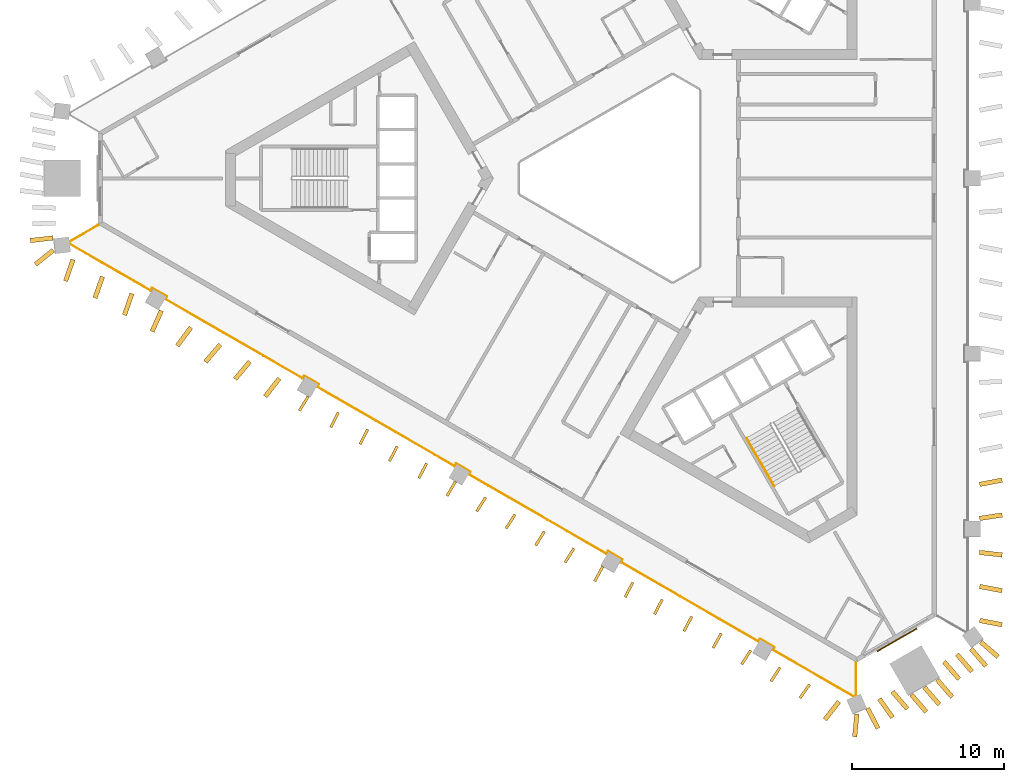
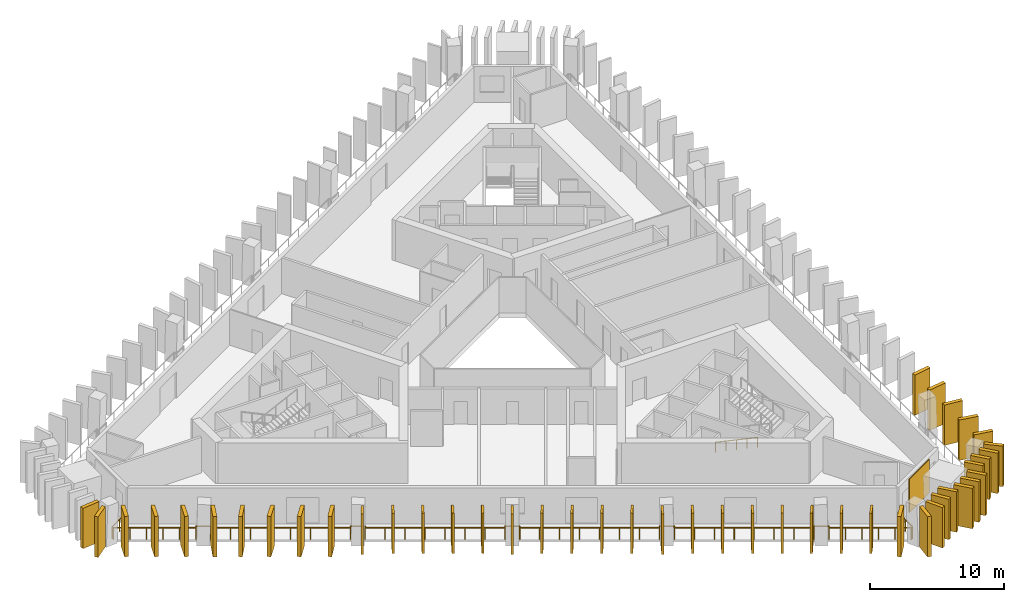
# One storey, part 7 of 10: 45 shading devices, 2 railings, 1 covering.
"""IFC4 building model written with IfcOpenShell, lengths in metres."""

from ifc_helpers import new_model, si_unit, direction, frame, frame_2d, origin, origin_2d, place, context, subcontext, project, spatial, rectangle, circle, extrude, material, layer, layer_set, type_object, element, save


model = new_model("IFC4")

# Units and contexts
model_context = context("Model", 3, precision=1e-05, world=origin(), true_north=direction((0.0, 1.0)))
body_context = subcontext(model_context, "Body", "Model", "MODEL_VIEW")
ifc_project = project(units=[si_unit("LENGTHUNIT", "METRE"), si_unit("AREAUNIT", "SQUARE_METRE"), si_unit("VOLUMEUNIT", "CUBIC_METRE"), si_unit("PLANEANGLEUNIT", "RADIAN"), si_unit("MASSUNIT", "GRAM", prefix="KILO")], contexts=[model_context])

# Site, building, storey
site_placement = place(None, origin())
site = spatial("IfcSite", under=ifc_project, at=site_placement, CompositionType="ELEMENT")
building_placement = place(site_placement, origin())
building = spatial("IfcBuilding", under=site, at=building_placement, Name="Jabali Bay Hotel Tower and Convention Centre", CompositionType="ELEMENT")
storey_placement = place(building_placement, frame((0.0, 0.0, 106.800048828125)))
storey = spatial("IfcBuildingStorey", under=building, at=storey_placement, Name="L25", CompositionType="ELEMENT", Elevation=106.800048828125)

# Railing
ifc_material_1 = material(Name="Glass", Category="glass")
railing_type_1 = type_object("IfcRailingType", Name="Loggia glass guard 1100", PredefinedType="BALUSTRADE", material=ifc_material_1)
railing_1_placement = place(storey_placement, frame((89.81591796875, 48.179443359375, 0.0)))
element("IfcRailing", 1, at=railing_1_placement, inside=storey, type_object=railing_type_1, Name="Loggia glass guard L25", PredefinedType="BALUSTRADE", context=body_context, shape_type="SweptSolid", body=[
    extrude(circle(Radius=0.02490234375, at=origin_2d()), frame((0.0, 0.0, 1.0751953125), z_axis=(0.0, -1.0, 0.0), x_axis=(0.991444861374, 0.0, 0.13052619222)), (0.0, 0.0, 1.0), 2.165283203125),
    extrude(circle(Radius=0.02490234375, at=origin_2d()), frame((0.0, -2.165283203125, 1.0751953125), z_axis=(-0.918657809016, -0.395054211386, 0.0), x_axis=(0.391674467843, -0.91079856411, 0.13052619222)), (0.0, 0.0, 1.0), 0.15576171875),
    extrude(circle(Radius=0.02490234375, at=origin_2d()), frame((-0.14306640625, -2.226806640625, 1.0751953125), z_axis=(-0.866031938394, 0.499988681553, 0.0), x_axis=(-0.495711209071, -0.858622915107, 0.13052619222)), (0.0, 0.0, 1.0), 6.138916015625),
    extrude(circle(Radius=0.02490234375, at=origin_2d()), frame((-5.45947265625, 0.842529296875, 1.0751953125), z_axis=(0.500603037456, 0.865676959893, 0.0), x_axis=(-0.858270973496, 0.496320309074, 0.13052619222)), (0.0, 0.0, 1.0), 0.199951171875),
    extrude(circle(Radius=0.02490234375, at=origin_2d()), frame((-5.359375, 1.015625, 1.0751953125), z_axis=(-0.866008176907, 0.50002983664, 0.0), x_axis=(-0.495752012071, -0.858599356902, 0.13052619222)), (0.0, 0.0, 1.0), 1.10009765625),
    extrude(circle(Radius=0.02490234375, at=origin_2d()), frame((-6.31201171875, 1.565673828125, 1.0751953125), z_axis=(-0.500603037456, -0.865676959893, 0.0), x_axis=(0.858270973496, -0.496320309074, 0.13052619222)), (0.0, 0.0, 1.0), 0.199951171875),
    extrude(circle(Radius=0.02490234375, at=origin_2d()), frame((-6.412109375, 1.392578125, 1.0751953125), z_axis=(-0.866022894995, 0.500004345326, 0.0), x_axis=(-0.495726738838, -0.858613949075, 0.13052619222)), (0.0, 0.0, 1.0), 10.4208984375),
    extrude(circle(Radius=0.02490234375, at=origin_2d()), frame((-15.436767578125, 6.60302734375, 1.0751953125), z_axis=(0.499687197852, 0.866205924883, 0.0), x_axis=(-0.858795413117, 0.495412304605, 0.13052619222)), (0.0, 0.0, 1.0), 0.199951171875),
    extrude(circle(Radius=0.02490234375, at=origin_2d()), frame((-15.3369140625, 6.776123046875, 1.0751953125), z_axis=(-0.866008176907, 0.50002983664, 0.0), x_axis=(-0.495752012071, -0.858599356902, 0.13052619222)), (0.0, 0.0, 1.0), 1.10009765625),
    extrude(circle(Radius=0.02490234375, at=origin_2d()), frame((-16.28955078125, 7.326171875, 1.0751953125), z_axis=(-0.499687197852, -0.866205924883, 0.0), x_axis=(0.858795413117, -0.495412304605, 0.13052619222)), (0.0, 0.0, 1.0), 0.199951171875),
    extrude(circle(Radius=0.02490234375, at=origin_2d()), frame((-16.389404296875, 7.153076171875, 1.0751953125), z_axis=(-0.866028751965, 0.499994200737, 0.0), x_axis=(-0.495716681037, -0.858619755937, 0.13052619222)), (0.0, 0.0, 1.0), 10.4208984375),
    extrude(circle(Radius=0.02490234375, at=origin_2d()), frame((-25.414306640625, 12.363525390625, 1.0751953125), z_axis=(0.499687197852, 0.866205924883, 0.0), x_axis=(-0.858795413117, 0.495412304605, 0.13052619222)), (0.0, 0.0, 1.0), 0.199951171875),
    extrude(circle(Radius=0.02490234375, at=origin_2d()), frame((-25.314453125, 12.53662109375, 1.0751953125), z_axis=(-0.866008176907, 0.50002983664, 0.0), x_axis=(-0.495752012071, -0.858599356902, 0.13052619222)), (0.0, 0.0, 1.0), 1.10009765625),
    extrude(circle(Radius=0.02490234375, at=origin_2d()), frame((-26.26708984375, 13.086669921875, 1.0751953125), z_axis=(-0.499687197852, -0.866205924883, 0.0), x_axis=(0.858795413117, -0.495412304605, 0.13052619222)), (0.0, 0.0, 1.0), 0.199951171875),
    extrude(circle(Radius=0.02490234375, at=origin_2d()), frame((-26.366943359375, 12.91357421875, 1.0751953125), z_axis=(-0.866028751965, 0.499994200737, 0.0), x_axis=(-0.495716681037, -0.858619755937, 0.13052619222)), (0.0, 0.0, 1.0), 10.4208984375),
    extrude(circle(Radius=0.02490234375, at=origin_2d()), frame((-35.391845703125, 18.1240234375, 1.0751953125), z_axis=(0.500074377092, 0.865982457891, 0.0), x_axis=(-0.858573857916, 0.495796171473, 0.13052619222)), (0.0, 0.0, 1.0), 0.2001953125),
    extrude(circle(Radius=0.02490234375, at=origin_2d()), frame((-35.291748046875, 18.29736328125, 1.0751953125), z_axis=(-0.866104278045, 0.499863360881, 0.0), x_axis=(-0.495586960535, -0.858694635882, 0.13052619222)), (0.0, 0.0, 1.0), 1.099853515625),
    extrude(circle(Radius=0.02490234375, at=origin_2d()), frame((-36.244384765625, 18.84716796875, 1.0751953125), z_axis=(-0.500603037456, -0.865676959893, 0.0), x_axis=(0.858270973496, -0.496320309074, 0.13052619222)), (0.0, 0.0, 1.0), 0.199951171875),
    extrude(circle(Radius=0.02490234375, at=origin_2d()), frame((-36.344482421875, 18.674072265625, 1.0751953125), z_axis=(-0.866028751965, 0.499994200737, 0.0), x_axis=(-0.495716681037, -0.858619755937, 0.13052619222)), (0.0, 0.0, 1.0), 10.4208984375),
    extrude(circle(Radius=0.02490234375, at=origin_2d()), frame((-45.369384765625, 23.884521484375, 1.0751953125), z_axis=(0.500074377092, 0.865982457891, 0.0), x_axis=(-0.858573857916, 0.495796171473, 0.13052619222)), (0.0, 0.0, 1.0), 0.2001953125),
    extrude(circle(Radius=0.02490234375, at=origin_2d()), frame((-45.269287109375, 24.057861328125, 1.0751953125), z_axis=(-0.866104278045, 0.499863360881, 0.0), x_axis=(-0.495586960535, -0.858694635882, 0.13052619222)), (0.0, 0.0, 1.0), 1.099853515625),
    extrude(circle(Radius=0.02490234375, at=origin_2d()), frame((-46.221923828125, 24.607666015625, 1.0751953125), z_axis=(-0.500603037456, -0.865676959893, 0.0), x_axis=(0.858270973496, -0.496320309074, 0.13052619222)), (0.0, 0.0, 1.0), 0.199951171875),
    extrude(circle(Radius=0.02490234375, at=origin_2d()), frame((-46.322021484375, 24.4345703125, 1.0751953125), z_axis=(-0.866021995826, 0.500005902711, 0.0), x_axis=(-0.495728282899, -0.858613057598, 0.13052619222)), (0.0, 0.0, 1.0), 6.138671875),
    extrude(circle(Radius=0.02490234375, at=origin_2d()), frame((-51.63818359375, 27.50390625, 1.0751953125), z_axis=(-0.117477392411, 0.993075557182, 0.0), x_axis=(-0.984579658124, -0.116472357034, 0.13052619222)), (0.0, 0.0, 1.0), 0.15576171875),
    extrude(circle(Radius=0.02490234375, at=origin_2d()), frame((-51.656494140625, 27.65869140625, 1.0751953125), z_axis=(0.866056034881, 0.49994694163, 0.0), x_axis=(-0.495669826239, 0.858646805445, 0.13052619222)), (0.0, 0.0, 1.0), 2.165283203125),
    extrude(circle(Radius=0.02001953125, at=origin_2d()), origin(), (0.0, 0.0, 1.0), 1.050048828125),
    extrude(circle(Radius=0.02001953125, at=origin_2d()), frame((0.0, -1.08251953125, 0.0)), (0.0, 0.0, 1.0), 1.050048828125),
    extrude(circle(Radius=0.02001953125, at=origin_2d()), frame((0.0, -2.165283203125, 0.0)), (0.0, 0.0, 1.0), 1.050048828125),
    extrude(circle(Radius=0.02001953125, at=origin_2d()), frame((-0.14306640625, -2.226806640625, 0.0)), (0.0, 0.0, 1.0), 1.050048828125),
    extrude(circle(Radius=0.02001953125, at=origin_2d()), frame((-1.206298828125, -1.613037109375, 0.0)), (0.0, 0.0, 1.0), 1.050048828125),
    extrude(circle(Radius=0.02001953125, at=origin_2d()), frame((-2.26953125, -0.9990234375, 0.0)), (0.0, 0.0, 1.0), 1.050048828125),
    extrude(circle(Radius=0.02001953125, at=origin_2d()), frame((-3.3330078125, -0.38525390625, 0.0)), (0.0, 0.0, 1.0), 1.050048828125),
    extrude(circle(Radius=0.02001953125, at=origin_2d()), frame((-4.396240234375, 0.228759765625, 0.0)), (0.0, 0.0, 1.0), 1.050048828125),
    extrude(circle(Radius=0.02001953125, at=origin_2d()), frame((-5.45947265625, 0.842529296875, 0.0)), (0.0, 0.0, 1.0), 1.050048828125),
    extrude(circle(Radius=0.02001953125, at=origin_2d()), frame((-5.359375, 1.015625, 0.0)), (0.0, 0.0, 1.0), 1.050048828125),
    extrude(circle(Radius=0.02001953125, at=origin_2d()), frame((-6.31201171875, 1.565673828125, 0.0)), (0.0, 0.0, 1.0), 1.050048828125),
    extrude(circle(Radius=0.02001953125, at=origin_2d()), frame((-6.412109375, 1.392578125, 0.0)), (0.0, 0.0, 1.0), 1.050048828125),
    extrude(circle(Radius=0.02001953125, at=origin_2d()), frame((-7.701416015625, 2.136962890625, 0.0)), (0.0, 0.0, 1.0), 1.050048828125),
    extrude(circle(Radius=0.02001953125, at=origin_2d()), frame((-8.990478515625, 2.88134765625, 0.0)), (0.0, 0.0, 1.0), 1.050048828125),
    extrude(circle(Radius=0.02001953125, at=origin_2d()), frame((-10.27978515625, 3.625732421875, 0.0)), (0.0, 0.0, 1.0), 1.050048828125),
    extrude(circle(Radius=0.02001953125, at=origin_2d()), frame((-11.569091796875, 4.369873046875, 0.0)), (0.0, 0.0, 1.0), 1.050048828125),
    extrude(circle(Radius=0.02001953125, at=origin_2d()), frame((-12.8583984375, 5.1142578125, 0.0)), (0.0, 0.0, 1.0), 1.050048828125),
    extrude(circle(Radius=0.02001953125, at=origin_2d()), frame((-14.1474609375, 5.858642578125, 0.0)), (0.0, 0.0, 1.0), 1.050048828125),
    extrude(circle(Radius=0.02001953125, at=origin_2d()), frame((-15.436767578125, 6.60302734375, 0.0)), (0.0, 0.0, 1.0), 1.050048828125),
    extrude(circle(Radius=0.02001953125, at=origin_2d()), frame((-15.3369140625, 6.776123046875, 0.0)), (0.0, 0.0, 1.0), 1.050048828125),
    extrude(circle(Radius=0.02001953125, at=origin_2d()), frame((-16.28955078125, 7.326171875, 0.0)), (0.0, 0.0, 1.0), 1.050048828125),
    extrude(circle(Radius=0.02001953125, at=origin_2d()), frame((-16.389404296875, 7.153076171875, 0.0)), (0.0, 0.0, 1.0), 1.050048828125),
    extrude(circle(Radius=0.02001953125, at=origin_2d()), frame((-17.6787109375, 7.8974609375, 0.0)), (0.0, 0.0, 1.0), 1.050048828125),
    extrude(circle(Radius=0.02001953125, at=origin_2d()), frame((-18.968017578125, 8.641845703125, 0.0)), (0.0, 0.0, 1.0), 1.050048828125),
    extrude(circle(Radius=0.02001953125, at=origin_2d()), frame((-20.25732421875, 9.38623046875, 0.0)), (0.0, 0.0, 1.0), 1.050048828125),
    extrude(circle(Radius=0.02001953125, at=origin_2d()), frame((-21.54638671875, 10.13037109375, 0.0)), (0.0, 0.0, 1.0), 1.050048828125),
    extrude(circle(Radius=0.02001953125, at=origin_2d()), frame((-22.835693359375, 10.874755859375, 0.0)), (0.0, 0.0, 1.0), 1.050048828125),
    extrude(circle(Radius=0.02001953125, at=origin_2d()), frame((-24.125, 11.619140625, 0.0)), (0.0, 0.0, 1.0), 1.050048828125),
    extrude(circle(Radius=0.02001953125, at=origin_2d()), frame((-25.414306640625, 12.363525390625, 0.0)), (0.0, 0.0, 1.0), 1.050048828125),
    extrude(circle(Radius=0.02001953125, at=origin_2d()), frame((-25.314453125, 12.53662109375, 0.0)), (0.0, 0.0, 1.0), 1.050048828125),
    extrude(circle(Radius=0.02001953125, at=origin_2d()), frame((-26.26708984375, 13.086669921875, 0.0)), (0.0, 0.0, 1.0), 1.050048828125),
    extrude(circle(Radius=0.02001953125, at=origin_2d()), frame((-26.366943359375, 12.91357421875, 0.0)), (0.0, 0.0, 1.0), 1.050048828125),
    extrude(circle(Radius=0.02001953125, at=origin_2d()), frame((-27.65625, 13.657958984375, 0.0)), (0.0, 0.0, 1.0), 1.050048828125),
    extrude(circle(Radius=0.02001953125, at=origin_2d()), frame((-28.945556640625, 14.40234375, 0.0)), (0.0, 0.0, 1.0), 1.050048828125),
    extrude(circle(Radius=0.02001953125, at=origin_2d()), frame((-30.23486328125, 15.146728515625, 0.0)), (0.0, 0.0, 1.0), 1.050048828125),
    extrude(circle(Radius=0.02001953125, at=origin_2d()), frame((-31.52392578125, 15.890869140625, 0.0)), (0.0, 0.0, 1.0), 1.050048828125),
    extrude(circle(Radius=0.02001953125, at=origin_2d()), frame((-32.813232421875, 16.63525390625, 0.0)), (0.0, 0.0, 1.0), 1.050048828125),
    extrude(circle(Radius=0.02001953125, at=origin_2d()), frame((-34.1025390625, 17.379638671875, 0.0)), (0.0, 0.0, 1.0), 1.050048828125),
    extrude(circle(Radius=0.02001953125, at=origin_2d()), frame((-35.391845703125, 18.1240234375, 0.0)), (0.0, 0.0, 1.0), 1.050048828125),
    extrude(circle(Radius=0.02001953125, at=origin_2d()), frame((-35.291748046875, 18.29736328125, 0.0)), (0.0, 0.0, 1.0), 1.050048828125),
    extrude(circle(Radius=0.02001953125, at=origin_2d()), frame((-36.244384765625, 18.84716796875, 0.0)), (0.0, 0.0, 1.0), 1.050048828125),
    extrude(circle(Radius=0.02001953125, at=origin_2d()), frame((-36.344482421875, 18.674072265625, 0.0)), (0.0, 0.0, 1.0), 1.050048828125),
    extrude(circle(Radius=0.02001953125, at=origin_2d()), frame((-37.6337890625, 19.41845703125, 0.0)), (0.0, 0.0, 1.0), 1.050048828125),
    extrude(circle(Radius=0.02001953125, at=origin_2d()), frame((-38.923095703125, 20.162841796875, 0.0)), (0.0, 0.0, 1.0), 1.050048828125),
    extrude(circle(Radius=0.02001953125, at=origin_2d()), frame((-40.21240234375, 20.9072265625, 0.0)), (0.0, 0.0, 1.0), 1.050048828125),
    extrude(circle(Radius=0.02001953125, at=origin_2d()), frame((-41.50146484375, 21.6513671875, 0.0)), (0.0, 0.0, 1.0), 1.050048828125),
    extrude(circle(Radius=0.02001953125, at=origin_2d()), frame((-42.790771484375, 22.395751953125, 0.0)), (0.0, 0.0, 1.0), 1.050048828125),
    extrude(circle(Radius=0.02001953125, at=origin_2d()), frame((-44.080078125, 23.14013671875, 0.0)), (0.0, 0.0, 1.0), 1.050048828125),
    extrude(circle(Radius=0.02001953125, at=origin_2d()), frame((-45.369384765625, 23.884521484375, 0.0)), (0.0, 0.0, 1.0), 1.050048828125),
    extrude(circle(Radius=0.02001953125, at=origin_2d()), frame((-45.269287109375, 24.057861328125, 0.0)), (0.0, 0.0, 1.0), 1.050048828125),
    extrude(circle(Radius=0.02001953125, at=origin_2d()), frame((-46.221923828125, 24.607666015625, 0.0)), (0.0, 0.0, 1.0), 1.050048828125),
    extrude(circle(Radius=0.02001953125, at=origin_2d()), frame((-46.322021484375, 24.4345703125, 0.0)), (0.0, 0.0, 1.0), 1.050048828125),
    extrude(circle(Radius=0.02001953125, at=origin_2d()), frame((-47.38525390625, 25.04833984375, 0.0)), (0.0, 0.0, 1.0), 1.050048828125),
    extrude(circle(Radius=0.02001953125, at=origin_2d()), frame((-48.448486328125, 25.662353515625, 0.0)), (0.0, 0.0, 1.0), 1.050048828125),
    extrude(circle(Radius=0.02001953125, at=origin_2d()), frame((-49.51171875, 26.276123046875, 0.0)), (0.0, 0.0, 1.0), 1.050048828125),
    extrude(circle(Radius=0.02001953125, at=origin_2d()), frame((-50.574951171875, 26.89013671875, 0.0)), (0.0, 0.0, 1.0), 1.050048828125),
    extrude(circle(Radius=0.02001953125, at=origin_2d()), frame((-51.63818359375, 27.50390625, 0.0)), (0.0, 0.0, 1.0), 1.050048828125),
    extrude(circle(Radius=0.02001953125, at=origin_2d()), frame((-51.656494140625, 27.65869140625, 0.0)), (0.0, 0.0, 1.0), 1.050048828125),
    extrude(circle(Radius=0.02001953125, at=origin_2d()), frame((-50.71875, 28.199951171875, 0.0)), (0.0, 0.0, 1.0), 1.050048828125),
    extrude(circle(Radius=0.02001953125, at=origin_2d()), frame((-49.78125, 28.7412109375, 0.0)), (0.0, 0.0, 1.0), 1.050048828125),
])

# Shading devices
ifc_material_2 = material(Name="Precast concrete C60", Category="concrete")
ifc_layer_1 = layer(ifc_material_2, 0.179931640625)
ifc_layer_set_1 = layer_set([ifc_layer_1], Name="Precast concrete C60")
shading_device_type_1 = type_object("IfcShadingDeviceType", Name="Precast fin 3680 x 1100", PredefinedType="USERDEFINED", material=ifc_layer_set_1)
shading_device_1_placement = place(storey_placement, frame((53.826416015625, 65.6640625, 0.010009765625), z_axis=(0.0, 0.0, 1.0), x_axis=(-0.525582659311, -0.850742539333, 0.0)))
element("IfcShadingDevice", 2, at=shading_device_1_placement, inside=storey, type_object=shading_device_type_1, Name="Fin L25 080", ObjectType="FIN", PredefinedType="USERDEFINED", context=body_context, shape_type="SweptSolid", body=[
    extrude(rectangle(XDim=1.099853515625, YDim=0.179931640625, at=frame_2d((0.5498046875, 0.0))), origin(), (0.0, 0.0, 1.0), 3.679931640625),
])
for number, where, z_axis, x_axis, name in (
    (3, (55.8095703125, 64.63134765625, 0.010009765625), (0.0, 0.0, 1.0), (-0.446947271445, -0.894560303472, 0.0), "Fin L25 081"),
    (4, (57.74462890625, 63.515625, 0.010009765625), (0.0, 0.0, 1.0), (-0.459422918874, -0.888217643156, 0.0), "Fin L25 082"),
    (5, (59.679443359375, 62.39892578125, 0.010009765625), (0.0, 0.0, 1.0), (-0.464089926346, -0.885788089931, 0.0), "Fin L25 083"),
):
    element("IfcShadingDevice", number, at=place(storey_placement, frame(where, z_axis=z_axis, x_axis=x_axis)), inside=storey, type_object=shading_device_type_1, Name=name, ObjectType="FIN", PredefinedType="USERDEFINED", context=body_context, shape_type="SweptSolid", body=[
        extrude(rectangle(XDim=1.10009765625, YDim=0.179931640625, at=frame_2d((0.550048828125, 0.0))), origin(), (0.0, 0.0, 1.0), 3.679931640625),
    ])
for number, where, z_axis, x_axis, name in (
    (6, (61.614013671875, 61.2822265625, 0.010009765625), (0.0, 0.0, 1.0), (-0.465673246848, -0.884956737457, 0.0), "Fin L25 084"),
    (7, (63.5, 60.08154296875, 0.010009765625), (0.0, 0.0, 1.0), (-0.504505706254, -0.863408357822, 0.0), "Fin L25 085"),
):
    element("IfcShadingDevice", number, at=place(storey_placement, frame(where, z_axis=z_axis, x_axis=x_axis)), inside=storey, type_object=shading_device_type_1, Name=name, ObjectType="FIN", PredefinedType="USERDEFINED", context=body_context, shape_type="SweptSolid", body=[
        extrude(rectangle(XDim=1.099853515625, YDim=0.179931640625, at=frame_2d((0.5498046875, 0.0))), origin(), (0.0, 0.0, 1.0), 3.679931640625),
    ])
shading_device_2_placement = place(storey_placement, frame((65.483154296875, 59.048583984375, 0.010009765625), z_axis=(0.0, 0.0, 1.0), x_axis=(-0.532848585823, -0.846210602975, 0.0)))
element("IfcShadingDevice", 8, at=shading_device_2_placement, inside=storey, type_object=shading_device_type_1, Name="Fin L25 086", ObjectType="FIN", PredefinedType="USERDEFINED", context=body_context, shape_type="SweptSolid", body=[
    extrude(rectangle(XDim=1.10009765625, YDim=0.179931640625, at=frame_2d((0.550048828125, 0.0))), origin(), (0.0, 0.0, 1.0), 3.679931640625),
])
shading_device_3_placement = place(storey_placement, frame((67.41748046875, 57.931640625, 0.010009765625), z_axis=(0.0, 0.0, 1.0), x_axis=(-0.532689641282, -0.846310667587, 0.0)))
element("IfcShadingDevice", 9, at=shading_device_3_placement, inside=storey, type_object=shading_device_type_1, Name="Fin L25 087", ObjectType="FIN", PredefinedType="USERDEFINED", context=body_context, shape_type="SweptSolid", body=[
    extrude(rectangle(XDim=1.099853515625, YDim=0.179931640625, at=frame_2d((0.5498046875, 0.0))), origin(), (0.0, 0.0, 1.0), 3.679931640625),
])
for number, where, z_axis, x_axis, name in (
    (10, (69.35205078125, 56.81494140625, 0.010009765625), (0.0, 0.0, 1.0), (-0.532589594837, -0.846373631129, 0.0), "Fin L25 088"),
    (11, (71.28662109375, 55.6982421875, 0.010009765625), (0.0, 0.0, 1.0), (-0.530238325522, -0.84784864106, 0.0), "Fin L25 089"),
):
    element("IfcShadingDevice", number, at=place(storey_placement, frame(where, z_axis=z_axis, x_axis=x_axis)), inside=storey, type_object=shading_device_type_1, Name=name, ObjectType="FIN", PredefinedType="USERDEFINED", context=body_context, shape_type="SweptSolid", body=[
        extrude(rectangle(XDim=1.10009765625, YDim=0.179931640625, at=frame_2d((0.550048828125, 0.0))), origin(), (0.0, 0.0, 1.0), 3.679931640625),
    ])
for number, where, z_axis, x_axis, name in (
    (12, (73.171630859375, 54.495361328125, 0.010009765625), (0.0, 0.0, 1.0), (-0.476533385137, -0.879156375652, 0.0), "Fin L25 090"),
    (13, (75.155517578125, 53.464111328125, 0.010009765625), (0.0, 0.0, 1.0), (-0.46655125145, -0.884494166046, 0.0), "Fin L25 091"),
):
    element("IfcShadingDevice", number, at=place(storey_placement, frame(where, z_axis=z_axis, x_axis=x_axis)), inside=storey, type_object=shading_device_type_1, Name=name, ObjectType="FIN", PredefinedType="USERDEFINED", context=body_context, shape_type="SweptSolid", body=[
        extrude(rectangle(XDim=1.099853515625, YDim=0.179931640625, at=frame_2d((0.5498046875, 0.0))), origin(), (0.0, 0.0, 1.0), 3.679931640625),
    ])
for number, where, z_axis, x_axis, name in (
    (14, (77.090087890625, 52.347412109375, 0.010009765625), (0.0, 0.0, 1.0), (-0.466286019642, -0.884634019178, 0.0), "Fin L25 092"),
    (15, (79.0244140625, 51.23046875, 0.010009765625), (0.0, 0.0, 1.0), (-0.46558179223, -0.885004855774, 0.0), "Fin L25 093"),
):
    element("IfcShadingDevice", number, at=place(storey_placement, frame(where, z_axis=z_axis, x_axis=x_axis)), inside=storey, type_object=shading_device_type_1, Name=name, ObjectType="FIN", PredefinedType="USERDEFINED", context=body_context, shape_type="SweptSolid", body=[
        extrude(rectangle(XDim=1.10009765625, YDim=0.179931640625, at=frame_2d((0.550048828125, 0.0))), origin(), (0.0, 0.0, 1.0), 3.679931640625),
    ])
shading_device_4_placement = place(storey_placement, frame((80.9599609375, 50.115234375, 0.010009765625), z_axis=(0.0, 0.0, 1.0), x_axis=(-0.486811054886, -0.873507296387, 0.0)))
element("IfcShadingDevice", 16, at=shading_device_4_placement, inside=storey, type_object=shading_device_type_1, Name="Fin L25 094", ObjectType="FIN", PredefinedType="USERDEFINED", context=body_context, shape_type="SweptSolid", body=[
    extrude(rectangle(XDim=1.099853515625, YDim=0.179931640625, at=frame_2d((0.5498046875, 0.0))), origin(), (0.0, 0.0, 1.0), 3.679931640625),
])
for number, where, z_axis, x_axis, name in (
    (17, (82.89306640625, 48.99609375, 0.010009765625), (0.0, 0.0, 1.0), (-0.539085185418, -0.842251246875, 0.0), "Fin L25 095"),
    (18, (84.8271484375, 47.878173828125, 0.010009765625), (0.0, 0.0, 1.0), (-0.550545393835, -0.834805228378, 0.0), "Fin L25 096"),
):
    element("IfcShadingDevice", number, at=place(storey_placement, frame(where, z_axis=z_axis, x_axis=x_axis)), inside=storey, type_object=shading_device_type_1, Name=name, ObjectType="FIN", PredefinedType="USERDEFINED", context=body_context, shape_type="SweptSolid", body=[
        extrude(rectangle(XDim=1.10009765625, YDim=0.179931640625, at=frame_2d((0.550048828125, 0.0))), origin(), (0.0, 0.0, 1.0), 3.679931640625),
    ])
shading_device_5_placement = place(storey_placement, frame((86.760009765625, 46.7587890625, 0.010009765625), z_axis=(0.0, 0.0, 1.0), x_axis=(-0.576883613962, -0.816826356053, 0.0)))
element("IfcShadingDevice", 19, at=shading_device_5_placement, inside=storey, type_object=shading_device_type_1, Name="Fin L25 097", ObjectType="FIN", PredefinedType="USERDEFINED", context=body_context, shape_type="SweptSolid", body=[
    extrude(rectangle(XDim=1.099853515625, YDim=0.179931640625, at=frame_2d((0.5498046875, 0.0))), origin(), (0.0, 0.0, 1.0), 3.679931640625),
])
ifc_layer_2 = layer(ifc_material_2, 0.300048828125)
ifc_layer_set_2 = layer_set([ifc_layer_2], Name="Precast concrete C60")
shading_device_type_2 = type_object("IfcShadingDeviceType", Name="Precast fin 3680 x 1500", PredefinedType="USERDEFINED", material=ifc_layer_set_2)
for number, where, z_axis, x_axis, name in (
    (20, (97.927734375, 50.961181640625, 0.010009765625), (0.0, 0.0, 1.0), (0.98216862344, -0.188002114696, 0.0), "Fin L25 000"),
    (21, (97.927734375, 53.19482421875, 0.010009765625), (0.0, 0.0, 1.0), (0.98216862344, -0.188002114696, 0.0), "Fin L25 001"),
    (22, (97.916259765625, 55.4287109375, 0.010009765625), (0.0, 0.0, 1.0), (0.993673547442, -0.112307083986, 0.0), "Fin L25 002"),
    (23, (97.924072265625, 57.662353515625, 0.010009765625), (0.0, 0.0, 1.0), (0.988774599721, 0.149414828402, 0.0), "Fin L25 003"),
    (24, (97.927734375, 59.896240234375, 0.010009765625), (0.0, 0.0, 1.0), (0.98216862344, 0.188002114696, 0.0), "Fin L25 004"),
    (25, (37.073974609375, 76.08251953125, 0.010009765625), (0.0, 0.0, 1.0), (-0.993618941804, -0.112789177178, 0.0), "Fin L25 071"),
    (26, (38.3876953125, 74.66357421875, 0.010009765625), (0.0, 0.0, 1.0), (-0.328261808325, -0.944586780129, 0.0), "Fin L25 072"),
    (27, (40.322265625, 73.546630859375, 0.010009765625), (0.0, 0.0, 1.0), (-0.328261808325, -0.944586780129, 0.0), "Fin L25 073"),
    (28, (42.2568359375, 72.4296875, 0.010009765625), (0.0, 0.0, 1.0), (-0.328457494881, -0.944518752623, 0.0), "Fin L25 074"),
    (29, (44.189453125, 71.31005859375, 0.010009765625), (0.0, 0.0, 1.0), (-0.403660242872, -0.914908961768, 0.0), "Fin L25 075"),
    (30, (46.13134765625, 70.20556640625, 0.010009765625), (0.0, 0.0, 1.0), (-0.595406595441, -0.803424536659, 0.0), "Fin L25 076"),
):
    element("IfcShadingDevice", number, at=place(storey_placement, frame(where, z_axis=z_axis, x_axis=x_axis)), inside=storey, type_object=shading_device_type_2, Name=name, ObjectType="FIN", PredefinedType="USERDEFINED", context=body_context, shape_type="SweptSolid", body=[
        extrude(rectangle(XDim=1.5, YDim=0.300048828125, at=frame_2d((0.75, 0.0))), origin(), (0.0, 0.0, 1.0), 3.679931640625),
    ])
shading_device_6_placement = place(storey_placement, frame((48.060546875, 69.079833984375, 0.010009765625), z_axis=(0.0, 0.0, 1.0), x_axis=(-0.650134438252, -0.759819197046, 0.0)))
element("IfcShadingDevice", 31, at=shading_device_6_placement, inside=storey, type_object=shading_device_type_2, Name="Fin L25 077", ObjectType="FIN", PredefinedType="USERDEFINED", context=body_context, shape_type="SweptSolid", body=[
    extrude(rectangle(XDim=1.500244140625, YDim=0.300048828125, at=frame_2d((0.75, 0.0))), origin(), (0.0, 0.0, 1.0), 3.679931640625),
])
shading_device_7_placement = place(storey_placement, frame((49.99609375, 67.96435546875, 0.010009765625), z_axis=(0.0, 0.0, 1.0), x_axis=(-0.640680594983, -0.767807511823, 0.0)))
element("IfcShadingDevice", 32, at=shading_device_7_placement, inside=storey, type_object=shading_device_type_2, Name="Fin L25 078", ObjectType="FIN", PredefinedType="USERDEFINED", context=body_context, shape_type="SweptSolid", body=[
    extrude(rectangle(XDim=1.499755859375, YDim=0.300048828125, at=frame_2d((0.75, 0.0))), origin(), (0.0, 0.0, 1.0), 3.679931640625),
])
shading_device_8_placement = place(storey_placement, frame((51.932861328125, 66.851806640625, 0.010009765625), z_axis=(0.0, 0.0, 1.0), x_axis=(-0.61548296677, -0.788150187221, 0.0)))
element("IfcShadingDevice", 33, at=shading_device_8_placement, inside=storey, type_object=shading_device_type_2, Name="Fin L25 079", ObjectType="FIN", PredefinedType="USERDEFINED", context=body_context, shape_type="SweptSolid", body=[
    extrude(rectangle(XDim=1.500244140625, YDim=0.300048828125, at=frame_2d((0.75, 0.0))), origin(), (0.0, 0.0, 1.0), 3.679931640625),
])
for number, where, z_axis, x_axis, name in (
    (34, (88.6884765625, 45.631103515625, 0.010009765625), (0.0, 0.0, 1.0), (-0.614278609524, -0.789089215413, 0.0), "Fin L25 098"),
    (35, (90.568603515625, 45.19921875, 0.010009765625), (0.0, 0.0, 1.0), (0.459476052239, -0.888190158366, 0.0), "Fin L25 099"),
    (36, (91.344970703125, 45.813232421875, 0.010009765625), (0.0, 0.0, 1.0), (0.576996277454, -0.816746775815, 0.0), "Fin L25 100"),
    (37, (92.200439453125, 46.290283203125, 0.010009765625), (0.0, 0.0, 1.0), (0.65397575459, -0.756515507051, 0.0), "Fin L25 101"),
    (38, (93.4482421875, 46.087890625, 0.010009765625), (0.0, 0.0, 1.0), (0.65397575459, -0.756515507051, 0.0), "Fin L25 102"),
    (39, (94.29638671875, 46.57763671875, 0.010009765625), (0.0, 0.0, 1.0), (0.65397575459, -0.756515507051, 0.0), "Fin L25 103"),
):
    element("IfcShadingDevice", number, at=place(storey_placement, frame(where, z_axis=z_axis, x_axis=x_axis)), inside=storey, type_object=shading_device_type_2, Name=name, ObjectType="FIN", PredefinedType="USERDEFINED", context=body_context, shape_type="SweptSolid", body=[
        extrude(rectangle(XDim=1.5, YDim=0.300048828125, at=frame_2d((0.75, 0.0))), origin(), (0.0, 0.0, 1.0), 3.679931640625),
    ])
shading_device_9_placement = place(storey_placement, frame((95.14453125, 47.0673828125, 0.010009765625), z_axis=(0.0, 0.0, 1.0), x_axis=(0.653895235714, -0.756585104737, 0.0)))
element("IfcShadingDevice", 40, at=shading_device_9_placement, inside=storey, type_object=shading_device_type_2, Name="Fin L25 104", ObjectType="FIN", PredefinedType="USERDEFINED", context=body_context, shape_type="SweptSolid", body=[
    extrude(rectangle(XDim=1.500244140625, YDim=0.300048828125, at=frame_2d((0.75, 0.0))), origin(), (0.0, 0.0, 1.0), 3.679931640625),
])
shading_device_10_placement = place(storey_placement, frame((95.59326171875, 48.249267578125, 0.010009765625), z_axis=(0.0, 0.0, 1.0), x_axis=(0.653802064203, -0.756665620234, 0.0)))
element("IfcShadingDevice", 41, at=shading_device_10_placement, inside=storey, type_object=shading_device_type_2, Name="Fin L25 105", ObjectType="FIN", PredefinedType="USERDEFINED", context=body_context, shape_type="SweptSolid", body=[
    extrude(rectangle(XDim=1.5, YDim=0.300048828125, at=frame_2d((0.75, 0.0))), origin(), (0.0, 0.0, 1.0), 3.679931640625),
])
for number, where, z_axis, x_axis, name in (
    (42, (96.44140625, 48.73876953125, 0.010009765625), (0.0, 0.0, 1.0), (0.653882588745, -0.756596034973, 0.0), "Fin L25 106"),
    (43, (97.361328125, 49.104248046875, 0.010009765625), (0.0, 0.0, 1.0), (0.653882588745, -0.756596034973, 0.0), "Fin L25 107"),
):
    element("IfcShadingDevice", number, at=place(storey_placement, frame(where, z_axis=z_axis, x_axis=x_axis)), inside=storey, type_object=shading_device_type_2, Name=name, ObjectType="FIN", PredefinedType="USERDEFINED", context=body_context, shape_type="SweptSolid", body=[
        extrude(rectangle(XDim=1.499755859375, YDim=0.300048828125, at=frame_2d((0.75, 0.0))), origin(), (0.0, 0.0, 1.0), 3.679931640625),
    ])
shading_device_11_placement = place(storey_placement, frame((98.0009765625, 49.5546875, 0.010009765625), z_axis=(0.0, 0.0, 1.0), x_axis=(0.756665620234, -0.653802064203, 0.0)))
element("IfcShadingDevice", 44, at=shading_device_11_placement, inside=storey, type_object=shading_device_type_2, Name="Fin L25 108", ObjectType="FIN", PredefinedType="USERDEFINED", context=body_context, shape_type="SweptSolid", body=[
    extrude(rectangle(XDim=1.5, YDim=0.300048828125, at=frame_2d((0.75, 0.0))), origin(), (0.0, 0.0, 1.0), 3.679931640625),
])
shading_device_12_placement = place(storey_placement, frame((37.088623046875, 75.277587890625, 0.010009765625), z_axis=(0.0, 0.0, 1.0), x_axis=(-0.78083704724, -0.62473474824, 0.0)))
element("IfcShadingDevice", 45, at=shading_device_12_placement, inside=storey, type_object=shading_device_type_2, Name="Fin L25 112", ObjectType="FIN", PredefinedType="USERDEFINED", context=body_context, shape_type="SweptSolid", body=[
    extrude(rectangle(XDim=1.499755859375, YDim=0.300048828125, at=frame_2d((0.75, 0.0))), origin(), (0.0, 0.0, 1.0), 3.679931640625),
])
shading_device_13_placement = place(storey_placement, frame((89.865966796875, 44.814453125, 0.010009765625), z_axis=(0.0, 0.0, 1.0), x_axis=(-0.095216174308, -0.995456618919, 0.0)))
element("IfcShadingDevice", 46, at=shading_device_13_placement, inside=storey, type_object=shading_device_type_2, Name="Fin L25 113", ObjectType="FIN", PredefinedType="USERDEFINED", context=body_context, shape_type="SweptSolid", body=[
    extrude(rectangle(XDim=1.5, YDim=0.300048828125, at=frame_2d((0.75, 0.0))), origin(), (0.0, 0.0, 1.0), 3.679931640625),
])

# Covering
ifc_material_3 = material(Name="Precast concrete C40/50", Category="concrete")
ifc_layer_3 = layer(ifc_material_3, 0.080078125)
ifc_layer_set_3 = layer_set([ifc_layer_3], Name="Precast concrete C40/50")
covering_type = type_object("IfcCoveringType", Name="Relief panel 3000 x 3050", PredefinedType="CLADDING", material=ifc_layer_set_3)
covering_placement = place(storey_placement, frame((92.502685546875, 49.684326171875, 0.10009765625), z_axis=(0.0, 0.0, 1.0), x_axis=(-0.866025376165, -0.500000047839, 0.0)))
element("IfcCovering", 47, at=covering_placement, inside=storey, type_object=covering_type, Name="Relief panel L25", PredefinedType="CLADDING", context=body_context, shape_type="SweptSolid", body=[
    extrude(rectangle(XDim=3.0, YDim=0.080078125, at=origin_2d()), origin(), (0.0, 0.0, 1.0), 3.050048828125),
])

# Railing
ifc_material_4 = material(Name="Steel Q355B", Category="steel")
railing_type_2 = type_object("IfcRailingType", Name="Stair handrail 900", PredefinedType="HANDRAIL", material=ifc_material_4)
railing_2_placement = place(storey_placement, frame((82.622802734375, 62.94677734375, 0.132080078125)))
element("IfcRailing", 48, at=railing_2_placement, inside=storey, type_object=railing_type_2, Name="L25 ST3 stair handrail 1", PredefinedType="HANDRAIL", context=body_context, shape_type="SweptSolid", body=[
    extrude(circle(Radius=0.02392578125, at=origin_2d()), frame((0.0, 0.0, 0.8759765625), z_axis=(0.452190331055, -0.783190014029, 0.426775475427), x_axis=(0.866018046521, 0.500012742938, 0.0)), (0.0, 0.0, 1.0), 4.02490234375),
    extrude(circle(Radius=0.02099609375, at=origin_2d()), origin(), (0.0, 0.0, 1.0), 0.851806640625),
    extrude(circle(Radius=0.02099609375, at=origin_2d()), frame((0.455078125, -0.7880859375, 0.429443359375)), (0.0, 0.0, 1.0), 0.851806640625),
    extrude(circle(Radius=0.02099609375, at=origin_2d()), frame((0.91015625, -1.576171875, 0.85888671875)), (0.0, 0.0, 1.0), 0.851806640625),
    extrude(circle(Radius=0.02099609375, at=origin_2d()), frame((1.364990234375, -2.3642578125, 1.288330078125)), (0.0, 0.0, 1.0), 0.851806640625),
    extrude(circle(Radius=0.02099609375, at=origin_2d()), frame((1.820068359375, -3.15234375, 1.7177734375)), (0.0, 0.0, 1.0), 0.851806640625),
])

save(model, "model.ifc")
